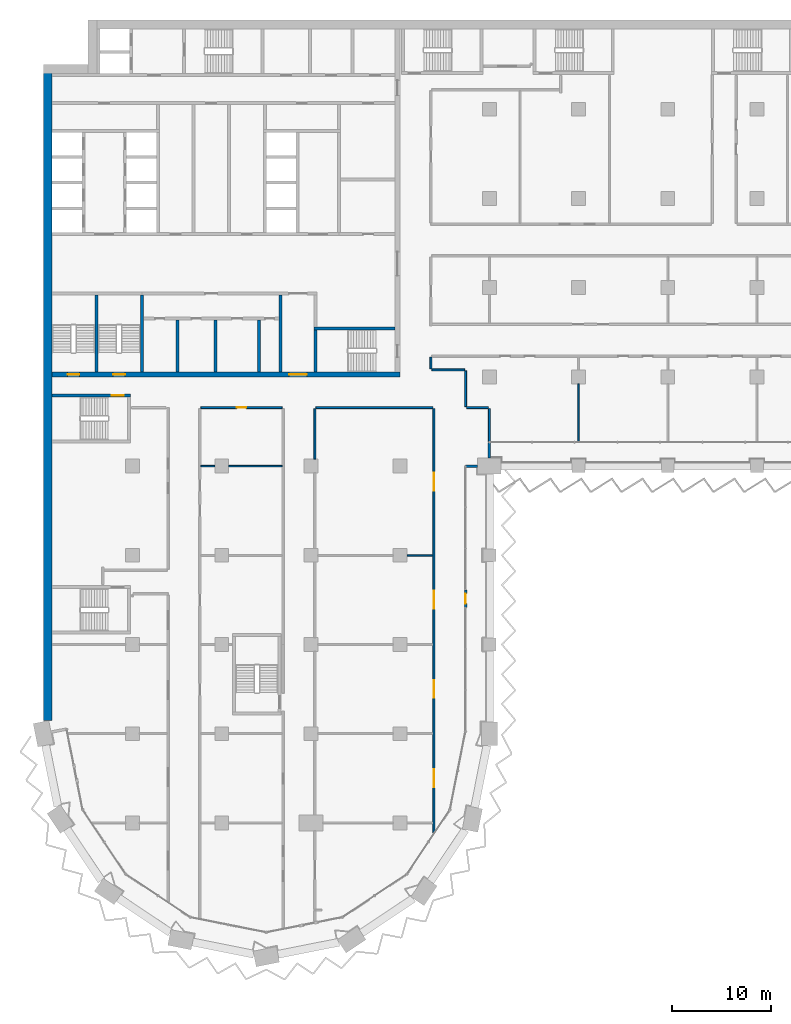
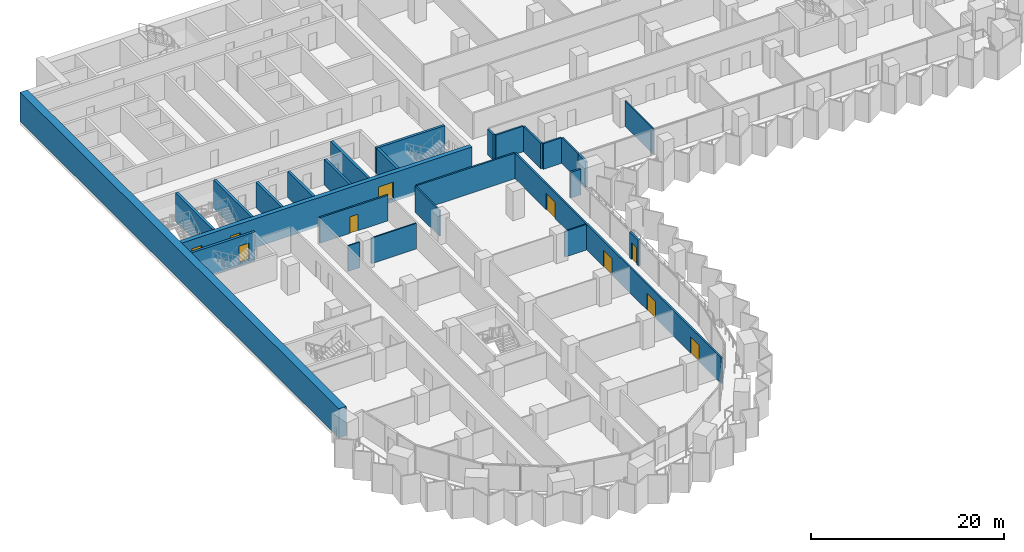
# One storey, part 12 of 28: 27 walls, 10 doors, 10 openings.
"""IFC4 building model written with IfcOpenShell, lengths in metres."""

from ifc_helpers import new_model, si_unit, direction, frame, frame_2d, origin, place, context, subcontext, project, spatial, rectangle, extrude, material, layer, layer_set, type_object, element, fill, save


model = new_model("IFC4")

# Units and contexts
model_context = context("Model", 3, precision=1e-05, world=origin(), true_north=direction((0.0, 1.0)))
body_context = subcontext(model_context, "Body", "Model", "MODEL_VIEW")
ifc_project = project(units=[si_unit("LENGTHUNIT", "METRE"), si_unit("AREAUNIT", "SQUARE_METRE"), si_unit("VOLUMEUNIT", "CUBIC_METRE"), si_unit("PLANEANGLEUNIT", "RADIAN"), si_unit("MASSUNIT", "GRAM", prefix="KILO")], contexts=[model_context])

# Site, building, storey
site_placement = place(None, origin())
site = spatial("IfcSite", under=ifc_project, at=site_placement, CompositionType="ELEMENT")
building_placement = place(site_placement, origin())
building = spatial("IfcBuilding", under=site, at=building_placement, Name="Hunhe Ridgeline Campus", CompositionType="ELEMENT")
storey_placement = place(building_placement, frame((0.0, 0.0, 76.5)))
storey = spatial("IfcBuildingStorey", under=building, at=storey_placement, Name="L18", CompositionType="ELEMENT", Elevation=76.5)

# Walls
ifc_material_1 = material(Name="Masonry concrete blockwork", Category="masonry")
ifc_layer_1 = layer(ifc_material_1, 0.300048828125)
ifc_layer_set_1 = layer_set([ifc_layer_1], Name="Core room partition 300 concrete block")
wall_type_1 = type_object("IfcWallType", Name="Core room partition 300 concrete block", PredefinedType="PARTITIONING", material=ifc_layer_set_1)
for number, where, z_axis, x_axis, name in (
    (1, (13.550048828125, 63.5, 0.0), (0.0, 0.0, 1.0), (0.0, 1.0, 0.0), "L18 core partition 45"),
    (2, (17.35009765625, 63.5, 0.0), (0.0, 0.0, 1.0), (0.0, 1.0, 0.0), "L18 core partition 48"),
    (3, (21.75, 63.5, 0.0), (0.0, 0.0, 1.0), (0.0, 1.0, 0.0), "L18 core partition 51"),
):
    element("IfcWall", number, at=place(storey_placement, frame(where, z_axis=z_axis, x_axis=x_axis)), inside=storey, type_object=wall_type_1, Name=name, PredefinedType="PARTITIONING", context=body_context, shape_type="SweptSolid", body=[
        extrude(rectangle(XDim=5.25, YDim=0.300048828125, at=frame_2d((2.625, 0.0))), origin(), (0.0, 0.0, 1.0), 3.25),
    ])
wall_1_placement = place(storey_placement, frame((23.949951171875, 63.5, 0.0), z_axis=(0.0, 0.0, 1.0), x_axis=(0.0, 1.0, 0.0)))
element("IfcWall", 4, at=wall_1_placement, inside=storey, type_object=wall_type_1, Name="L18 core partition 56", PredefinedType="PARTITIONING", context=body_context, shape_type="SweptSolid", body=[
    extrude(rectangle(XDim=7.75, YDim=0.300048828125, at=frame_2d((3.875, 0.0))), origin(), (0.0, 0.0, 1.0), 3.25),
])

# Wall, openings, doors
ifc_material_2 = material(Name="Concrete C80", Category="concrete")
ifc_layer_2 = layer(ifc_material_2, 0.5)
ifc_layer_set_2 = layer_set([ifc_layer_2], Name="Core wall 500 reinforced concrete C80")
wall_type_2 = type_object("IfcWallType", Name="Core wall 500 reinforced concrete C80", PredefinedType="SOLIDWALL", material=ifc_layer_set_2)
wall_2_placement = place(storey_placement, frame((0.89990234375, 63.25, -0.39990234375), z_axis=(0.0, 0.0, 1.0), x_axis=(1.0, 0.0, 0.0)))
wall_2 = element("IfcWall", 5, at=wall_2_placement, inside=storey, type_object=wall_type_2, Name="L18 core wall 7", PredefinedType="SOLIDWALL", context=body_context, shape_type="SweptSolid", body=[
    extrude(rectangle(XDim=35.10009765625, YDim=0.5, at=frame_2d((17.550048828125, 0.0))), origin(), (0.0, 0.0, 1.0), 3.64990234375),
])
opening_1_placement = place(wall_2_placement, frame((23.89990234375, 0.0, 0.39990234375)))
opening_1 = element("IfcOpeningElement", 6, at=opening_1_placement, cuts=wall_2, Name="Opening CD6", PredefinedType="OPENING", context=body_context, shape_type="SweptSolid", body=[
    extrude(rectangle(XDim=1.800048828125, YDim=2.10009765625, at=frame_2d((0.89990234375, 1.050048828125))), frame((0.0, 0.25, 0.0), z_axis=(0.0, -1.0, 0.0), x_axis=(1.0, 0.0, 0.0)), (0.0, 0.0, 1.0), 0.5),
])
opening_2_placement = place(wall_2_placement, frame((1.550048828125, 0.0, 0.39990234375)))
opening_2 = element("IfcOpeningElement", 7, at=opening_2_placement, cuts=wall_2, Name="Opening CD13", PredefinedType="OPENING", context=body_context, shape_type="SweptSolid", body=[
    extrude(rectangle(XDim=1.199951171875, YDim=2.10009765625, at=frame_2d((0.60009765625, 1.050048828125))), frame((0.0, 0.25, 0.0), z_axis=(0.0, -1.0, 0.0), x_axis=(1.0, 0.0, 0.0)), (0.0, 0.0, 1.0), 0.5),
])
opening_3_placement = place(wall_2_placement, frame((6.14990234375, 0.0, 0.39990234375)))
opening_3 = element("IfcOpeningElement", 8, at=opening_3_placement, cuts=wall_2, Name="Opening CD14", PredefinedType="OPENING", context=body_context, shape_type="SweptSolid", body=[
    extrude(rectangle(XDim=1.199951171875, YDim=2.10009765625, at=frame_2d((0.60009765625, 1.050048828125))), frame((0.0, 0.25, 0.0), z_axis=(0.0, -1.0, 0.0), x_axis=(1.0, 0.0, 0.0)), (0.0, 0.0, 1.0), 0.5),
])
ifc_material_3 = material(Name="Anodised aluminium and glass", Category="aluminium")
door_type_1 = type_object("IfcDoorType", Name="Glazed double door 1800x2100", OperationType="DOUBLE_DOOR_SINGLE_SWING", PredefinedType="DOOR", material=ifc_material_3)
door_1_placement = place(opening_1_placement, frame((1.800048828125, 0.0, 0.0), z_axis=(0.0, 0.0, 1.0), x_axis=(-1.0, 0.0, 0.0)))
door_1 = element("IfcDoor", 9, at=door_1_placement, inside=storey, type_object=door_type_1, Name="L18 door VEST-FLOOR", OperationType="DOUBLE_DOOR_SINGLE_SWING", OverallHeight=2.10009765625, OverallWidth=1.800048828125, PredefinedType="DOOR", context=body_context, shape_type="SweptSolid", body=[
    extrude(rectangle(XDim=1.800048828125, YDim=2.10009765625, at=frame_2d((0.89990234375, 1.050048828125))), frame((0.0, 0.02490234375, 0.0), z_axis=(0.0, -1.0, 0.0), x_axis=(1.0, 0.0, 0.0)), (0.0, 0.0, 1.0), 0.050048828125),
])
fill(opening_1, door_1)
ifc_material_4 = material(Name="Hollow metal fire door leaf")
door_type_2 = type_object("IfcDoorType", Name="Stair door 1200x2100 FD60", OperationType="SINGLE_SWING_LEFT", PredefinedType="DOOR", material=ifc_material_4)
door_2_placement = place(opening_2_placement, frame((1.199951171875, 0.0, 0.0), z_axis=(0.0, 0.0, 1.0), x_axis=(-1.0, 0.0, 0.0)))
door_2 = element("IfcDoor", 10, at=door_2_placement, inside=storey, type_object=door_type_2, Name="L18 door S3", OperationType="SINGLE_SWING_RIGHT", OverallHeight=2.10009765625, OverallWidth=1.199951171875, PredefinedType="DOOR", context=body_context, shape_type="SweptSolid", body=[
    extrude(rectangle(XDim=1.199951171875, YDim=2.10009765625, at=frame_2d((0.60009765625, 1.050048828125))), frame((0.0, 0.02490234375, 0.0), z_axis=(0.0, -1.0, 0.0), x_axis=(1.0, 0.0, 0.0)), (0.0, 0.0, 1.0), 0.050048828125),
])
fill(opening_2, door_2)
door_3_placement = place(opening_3_placement, frame((1.199951171875, 0.0, 0.0), z_axis=(0.0, 0.0, 1.0), x_axis=(-1.0, 0.0, 0.0)))
door_3 = element("IfcDoor", 11, at=door_3_placement, inside=storey, type_object=door_type_2, Name="L18 door S4", OperationType="SINGLE_SWING_LEFT", OverallHeight=2.10009765625, OverallWidth=1.199951171875, PredefinedType="DOOR", context=body_context, shape_type="SweptSolid", body=[
    extrude(rectangle(XDim=1.199951171875, YDim=2.10009765625, at=frame_2d((0.60009765625, 1.050048828125))), frame((0.0, 0.02490234375, 0.0), z_axis=(0.0, -1.0, 0.0), x_axis=(1.0, 0.0, 0.0)), (0.0, 0.0, 1.0), 0.050048828125),
])
fill(opening_3, door_3)

# Walls
ifc_material_5 = material(Name="Concrete C30", Category="concrete")
ifc_layer_3 = layer(ifc_material_5, 0.25)
ifc_layer_set_3 = layer_set([ifc_layer_3], Name="Corner return wall 250 Concrete C30")
wall_type_3 = type_object("IfcWallType", Name="Corner return wall 250 Concrete C30", PredefinedType="SOLIDWALL", material=ifc_layer_set_3)
wall_3_placement = place(storey_placement, frame((42.59912109375, 54.0, 0.0), z_axis=(0.0, 0.0, 1.0), x_axis=(0.999999917344, 0.000406586671, 0.0)))
element("IfcWall", 12, at=wall_3_placement, inside=storey, type_object=wall_type_3, Name="Corner return wall 2", PredefinedType="SOLIDWALL", context=body_context, shape_type="SweptSolid", body=[
    extrude(rectangle(XDim=1.200927734375, YDim=0.25, at=frame_2d((0.6005859375, 0.0))), origin(), (0.0, 0.0, 1.0), 3.25),
])
wall_4_placement = place(storey_placement, frame((44.999267578125, 54.800048828125, 0.0), z_axis=(0.0, 0.0, 1.0), x_axis=(0.000152508767, 0.999999988371, 0.0)))
element("IfcWall", 13, at=wall_4_placement, inside=storey, type_object=wall_type_3, Name="Corner return wall 3", PredefinedType="SOLIDWALL", context=body_context, shape_type="SweptSolid", body=[
    extrude(rectangle(XDim=1.600830078125, YDim=0.25, at=frame_2d((0.80029296875, 0.0))), origin(), (0.0, 0.0, 1.0), 3.25),
])

# Wall, opening, door
ifc_material_6 = material(Name="Gypsum board partition")
ifc_layer_4 = layer(ifc_material_6, 0.199951171875)
ifc_layer_set_4 = layer_set([ifc_layer_4], Name="Corridor partition 200 gypsum board on steel studs")
wall_type_4 = type_object("IfcWallType", Name="Corridor partition 200 gypsum board on steel studs", PredefinedType="PARTITIONING", material=ifc_layer_set_4)
wall_5_placement = place(storey_placement, frame((24.10009765625, 59.89990234375, 0.0), z_axis=(0.0, 0.0, 1.0), x_axis=(-1.0, 0.0, 0.0)))
wall_5 = element("IfcWall", 14, at=wall_5_placement, inside=storey, type_object=wall_type_4, Name="F-L18-wall-029", PredefinedType="PARTITIONING", context=body_context, shape_type="SweptSolid", body=[
    extrude(rectangle(XDim=8.2001953125, YDim=0.199951171875, at=frame_2d((4.10009765625, 0.0))), origin(), (0.0, 0.0, 1.0), 3.25),
])
opening_4_placement = place(wall_5_placement, frame((3.60009765625, 0.0, 0.0)))
opening_4 = element("IfcOpeningElement", 15, at=opening_4_placement, cuts=wall_5, Name="Opening RD1-019", PredefinedType="OPENING", context=body_context, shape_type="SweptSolid", body=[
    extrude(rectangle(XDim=1.0, YDim=2.10009765625, at=frame_2d((0.5, 1.050048828125))), frame((0.0, 0.10009765625, 0.0), z_axis=(0.0, -1.0, 0.0), x_axis=(1.0, 0.0, 0.0)), (0.0, 0.0, 1.0), 0.199951171875),
])
ifc_material_7 = material(Name="Timber door leaf", Category="wood")
door_type_3 = type_object("IfcDoorType", Name="Single fire door 1000x2100 timber FD60", OperationType="NOTDEFINED", PredefinedType="DOOR", material=ifc_material_7)
door_4_placement = place(opening_4_placement, origin())
door_4 = element("IfcDoor", 16, at=door_4_placement, inside=storey, type_object=door_type_3, Name="F-L18-door-019", OperationType="SINGLE_SWING_LEFT", OverallHeight=2.10009765625, OverallWidth=1.0, PredefinedType="DOOR", context=body_context, shape_type="SweptSolid", body=[
    extrude(rectangle(XDim=1.0, YDim=2.10009765625, at=frame_2d((0.5, 1.050048828125))), frame((0.0, 0.02490234375, 0.0), z_axis=(0.0, -1.0, 0.0), x_axis=(1.0, 0.0, 0.0)), (0.0, 0.0, 1.0), 0.050048828125),
])
fill(opening_4, door_4)

# Walls
wall_6_placement = place(storey_placement, frame((39.300048828125, 59.89990234375, 0.0), z_axis=(0.0, 0.0, 1.0), x_axis=(-1.0, 0.0, 0.0)))
element("IfcWall", 17, at=wall_6_placement, inside=storey, type_object=wall_type_4, Name="F-L18-wall-030", PredefinedType="PARTITIONING", context=body_context, shape_type="SweptSolid", body=[
    extrude(rectangle(XDim=11.800048828125, YDim=0.199951171875, at=frame_2d((5.89990234375, 0.0))), origin(), (0.0, 0.0, 1.0), 3.25),
])
wall_7_placement = place(storey_placement, frame((42.699951171875, 59.89990234375, 0.0), z_axis=(0.0, 0.0, 1.0), x_axis=(1.0, 0.0, 0.0)))
element("IfcWall", 18, at=wall_7_placement, inside=storey, type_object=wall_type_4, Name="F-L18-wall-031", PredefinedType="PARTITIONING", context=body_context, shape_type="SweptSolid", body=[
    extrude(rectangle(XDim=2.199951171875, YDim=0.199951171875, at=frame_2d((1.10009765625, 0.0))), origin(), (0.0, 0.0, 1.0), 3.25),
])
wall_8_placement = place(storey_placement, frame((39.199951171875, 63.699951171875, 0.0), z_axis=(0.0, 0.0, 1.0), x_axis=(1.0, 0.0, 0.0)))
element("IfcWall", 19, at=wall_8_placement, inside=storey, type_object=wall_type_4, Name="F-L18-wall-032", PredefinedType="PARTITIONING", context=body_context, shape_type="SweptSolid", body=[
    extrude(rectangle(XDim=3.300048828125, YDim=0.199951171875, at=frame_2d((1.64990234375, 0.0))), origin(), (0.0, 0.0, 1.0), 3.25),
])
wall_9_placement = place(storey_placement, frame((27.39990234375, 59.800048828125, 0.0), z_axis=(0.0, 0.0, 1.0), x_axis=(0.0, -1.0, 0.0)))
element("IfcWall", 20, at=wall_9_placement, inside=storey, type_object=wall_type_4, Name="F-L18-wall-059", PredefinedType="PARTITIONING", context=body_context, shape_type="SweptSolid", body=[
    extrude(rectangle(XDim=5.10009765625, YDim=0.199951171875, at=frame_2d((2.550048828125, 0.0))), origin(), (0.0, 0.0, 1.0), 3.25),
])
wall_10_placement = place(storey_placement, frame((39.10009765625, 65.0, 0.0), z_axis=(0.0, 0.0, 1.0), x_axis=(0.0, -1.0, 0.0)))
element("IfcWall", 21, at=wall_10_placement, inside=storey, type_object=wall_type_4, Name="F-L18-wall-060", PredefinedType="PARTITIONING", context=body_context, shape_type="SweptSolid", body=[
    extrude(rectangle(XDim=1.199951171875, YDim=0.199951171875, at=frame_2d((0.60009765625, 0.0))), origin(), (0.0, 0.0, 1.0), 3.25),
])

# Wall, openings, doors
wall_11_placement = place(storey_placement, frame((39.39990234375, 16.99072265625, 0.0), z_axis=(0.0, 0.0, 1.0), x_axis=(0.0, 1.0, 0.0)))
wall_11 = element("IfcWall", 22, at=wall_11_placement, inside=storey, type_object=wall_type_4, Name="F-L18-wall-063", PredefinedType="PARTITIONING", context=body_context, shape_type="SweptSolid", body=[
    extrude(rectangle(XDim=42.809326171875, YDim=0.199951171875, at=frame_2d((21.40478515625, 0.0))), origin(), (0.0, 0.0, 1.0), 3.25),
])
opening_5_placement = place(wall_11_placement, frame((4.607666015625, 0.0, 0.0)))
opening_5 = element("IfcOpeningElement", 23, at=opening_5_placement, cuts=wall_11, Name="Opening RD2-006", PredefinedType="OPENING", context=body_context, shape_type="SweptSolid", body=[
    extrude(rectangle(XDim=1.800048828125, YDim=2.10009765625, at=frame_2d((0.89990234375, 1.050048828125))), frame((0.0, 0.10009765625, 0.0), z_axis=(0.0, -1.0, 0.0), x_axis=(1.0, 0.0, 0.0)), (0.0, 0.0, 1.0), 0.199951171875),
])
opening_6_placement = place(wall_11_placement, frame((13.6201171875, 0.0, 0.0)))
opening_6 = element("IfcOpeningElement", 24, at=opening_6_placement, cuts=wall_11, Name="Opening RD2-010", PredefinedType="OPENING", context=body_context, shape_type="SweptSolid", body=[
    extrude(rectangle(XDim=1.800048828125, YDim=2.10009765625, at=frame_2d((0.89990234375, 1.050048828125))), frame((0.0, 0.10009765625, 0.0), z_axis=(0.0, -1.0, 0.0), x_axis=(1.0, 0.0, 0.0)), (0.0, 0.0, 1.0), 0.199951171875),
])
opening_7_placement = place(wall_11_placement, frame((22.632568359375, 0.0, 0.0)))
opening_7 = element("IfcOpeningElement", 25, at=opening_7_placement, cuts=wall_11, Name="Opening RD2-013", PredefinedType="OPENING", context=body_context, shape_type="SweptSolid", body=[
    extrude(rectangle(XDim=1.800048828125, YDim=2.10009765625, at=frame_2d((0.89990234375, 1.050048828125))), frame((0.0, 0.10009765625, 0.0), z_axis=(0.0, -1.0, 0.0), x_axis=(1.0, 0.0, 0.0)), (0.0, 0.0, 1.0), 0.199951171875),
])
opening_8_placement = place(wall_11_placement, frame((34.52392578125, 0.0, 0.0)))
opening_8 = element("IfcOpeningElement", 26, at=opening_8_placement, cuts=wall_11, Name="Opening RD2-017", PredefinedType="OPENING", context=body_context, shape_type="SweptSolid", body=[
    extrude(rectangle(XDim=1.800048828125, YDim=2.10009765625, at=frame_2d((0.89990234375, 1.050048828125))), frame((0.0, 0.10009765625, 0.0), z_axis=(0.0, -1.0, 0.0), x_axis=(1.0, 0.0, 0.0)), (0.0, 0.0, 1.0), 0.199951171875),
])
door_type_4 = type_object("IfcDoorType", Name="Double fire door 1800x2100 timber FD60", OperationType="DOUBLE_DOOR_SINGLE_SWING", PredefinedType="DOOR", material=ifc_material_7)
door_5_placement = place(opening_5_placement, origin())
door_5 = element("IfcDoor", 27, at=door_5_placement, inside=storey, type_object=door_type_4, Name="F-L18-door-006", OperationType="DOUBLE_DOOR_SINGLE_SWING", OverallHeight=2.10009765625, OverallWidth=1.800048828125, PredefinedType="DOOR", context=body_context, shape_type="SweptSolid", body=[
    extrude(rectangle(XDim=1.800048828125, YDim=2.10009765625, at=frame_2d((0.89990234375, 1.050048828125))), frame((0.0, 0.02490234375, 0.0), z_axis=(0.0, -1.0, 0.0), x_axis=(1.0, 0.0, 0.0)), (0.0, 0.0, 1.0), 0.050048828125),
])
fill(opening_5, door_5)
door_6_placement = place(opening_6_placement, origin())
door_6 = element("IfcDoor", 28, at=door_6_placement, inside=storey, type_object=door_type_4, Name="F-L18-door-010", OperationType="DOUBLE_DOOR_SINGLE_SWING", OverallHeight=2.10009765625, OverallWidth=1.800048828125, PredefinedType="DOOR", context=body_context, shape_type="SweptSolid", body=[
    extrude(rectangle(XDim=1.800048828125, YDim=2.10009765625, at=frame_2d((0.89990234375, 1.050048828125))), frame((0.0, 0.02490234375, 0.0), z_axis=(0.0, -1.0, 0.0), x_axis=(1.0, 0.0, 0.0)), (0.0, 0.0, 1.0), 0.050048828125),
])
fill(opening_6, door_6)
door_7_placement = place(opening_7_placement, origin())
door_7 = element("IfcDoor", 29, at=door_7_placement, inside=storey, type_object=door_type_4, Name="F-L18-door-013", OperationType="DOUBLE_DOOR_SINGLE_SWING", OverallHeight=2.10009765625, OverallWidth=1.800048828125, PredefinedType="DOOR", context=body_context, shape_type="SweptSolid", body=[
    extrude(rectangle(XDim=1.800048828125, YDim=2.10009765625, at=frame_2d((0.89990234375, 1.050048828125))), frame((0.0, 0.02490234375, 0.0), z_axis=(0.0, -1.0, 0.0), x_axis=(1.0, 0.0, 0.0)), (0.0, 0.0, 1.0), 0.050048828125),
])
fill(opening_7, door_7)
door_8_placement = place(opening_8_placement, origin())
door_8 = element("IfcDoor", 30, at=door_8_placement, inside=storey, type_object=door_type_4, Name="F-L18-door-017", OperationType="DOUBLE_DOOR_SINGLE_SWING", OverallHeight=2.10009765625, OverallWidth=1.800048828125, PredefinedType="DOOR", context=body_context, shape_type="SweptSolid", body=[
    extrude(rectangle(XDim=1.800048828125, YDim=2.10009765625, at=frame_2d((0.89990234375, 1.050048828125))), frame((0.0, 0.02490234375, 0.0), z_axis=(0.0, -1.0, 0.0), x_axis=(1.0, 0.0, 0.0)), (0.0, 0.0, 1.0), 0.050048828125),
])
fill(opening_8, door_8)

# Walls
wall_12_placement = place(storey_placement, frame((42.60009765625, 63.60009765625, 0.0), z_axis=(0.0, 0.0, 1.0), x_axis=(0.0, -1.0, 0.0)))
element("IfcWall", 31, at=wall_12_placement, inside=storey, type_object=wall_type_4, Name="F-L18-wall-064", PredefinedType="PARTITIONING", context=body_context, shape_type="SweptSolid", body=[
    extrude(rectangle(XDim=3.60009765625, YDim=0.199951171875, at=frame_2d((1.800048828125, 0.0))), origin(), (0.0, 0.0, 1.0), 3.25),
])
wall_13_placement = place(storey_placement, frame((45.0, 59.800048828125, 0.0), z_axis=(0.0, 0.0, 1.0), x_axis=(0.0, -1.0, 0.0)))
element("IfcWall", 32, at=wall_13_placement, inside=storey, type_object=wall_type_4, Name="F-L18-wall-065", PredefinedType="PARTITIONING", context=body_context, shape_type="SweptSolid", body=[
    extrude(rectangle(XDim=3.34521484375, YDim=0.199951171875, at=frame_2d((1.672607421875, 0.0))), origin(), (0.0, 0.0, 1.0), 3.25),
])

# Wall, opening, door
ifc_layer_5 = layer(ifc_material_5, 0.25)
ifc_layer_set_5 = layer_set([ifc_layer_5], Name="Loggia door pier wall 250 Concrete C30")
wall_type_5 = type_object("IfcWallType", Name="Loggia door pier wall 250 Concrete C30", PredefinedType="SOLIDWALL", material=ifc_layer_set_5)
wall_14_placement = place(storey_placement, frame((42.59912109375, 39.71826171875, 0.0), z_axis=(0.0, 0.0, 1.0), x_axis=(0.0, 1.0, 0.0)))
wall_14 = element("IfcWall", 33, at=wall_14_placement, inside=storey, type_object=wall_type_5, Name="Loggia door pier 3", PredefinedType="SOLIDWALL", context=body_context, shape_type="SweptSolid", body=[
    extrude(rectangle(XDim=1.800048828125, YDim=0.25, at=frame_2d((0.89990234375, 0.0))), origin(), (0.0, 0.0, 1.0), 3.25),
])
opening_9_placement = place(wall_14_placement, frame((0.39990234375, 0.0, 0.0)))
opening_9 = element("IfcOpeningElement", 34, at=opening_9_placement, cuts=wall_14, Name="Opening BD105", PredefinedType="OPENING", context=body_context, shape_type="SweptSolid", body=[
    extrude(rectangle(XDim=1.0, YDim=2.10009765625, at=frame_2d((0.5, 1.050048828125))), frame((0.0, 0.125, 0.0), z_axis=(0.0, -1.0, 0.0), x_axis=(1.0, 0.0, 0.0)), (0.0, 0.0, 1.0), 0.25),
])
ifc_material_8 = material(Name="Aluminium 6063", Category="aluminium")
door_type_5 = type_object("IfcDoorType", Name="Loggia glazed door 1000x2100", OperationType="NOTDEFINED", PredefinedType="DOOR", material=ifc_material_8)
door_9_placement = place(opening_9_placement, frame((1.0, 0.0, 0.0), z_axis=(0.0, 0.0, 1.0), x_axis=(-1.0, 0.0, 0.0)))
door_9 = element("IfcDoor", 35, at=door_9_placement, inside=storey, type_object=door_type_5, Name="Loggia door BD105", OperationType="SINGLE_SWING_RIGHT", OverallHeight=2.10009765625, OverallWidth=1.0, PredefinedType="DOOR", context=body_context, shape_type="SweptSolid", body=[
    extrude(rectangle(XDim=1.0, YDim=2.10009765625, at=frame_2d((0.5, 1.050048828125))), frame((0.0, 0.02490234375, 0.0), z_axis=(0.0, -1.0, 0.0), x_axis=(1.0, 0.0, 0.0)), (0.0, 0.0, 1.0), 0.050048828125),
])
fill(opening_9, door_9)

# Walls
ifc_layer_6 = layer(ifc_material_6, 0.14990234375)
ifc_layer_set_6 = layer_set([ifc_layer_6], Name="Room partition 150 gypsum board on steel studs")
wall_type_6 = type_object("IfcWallType", Name="Room partition 150 gypsum board on steel studs", PredefinedType="PARTITIONING", material=ifc_layer_set_6)
wall_15_placement = place(storey_placement, frame((36.699951171875, 45.0, 0.0), z_axis=(0.0, 0.0, 1.0), x_axis=(1.0, 0.0, 0.0)))
element("IfcWall", 36, at=wall_15_placement, inside=storey, type_object=wall_type_6, Name="F-L18-wall-025", PredefinedType="PARTITIONING", context=body_context, shape_type="SweptSolid", body=[
    extrude(rectangle(XDim=2.60009765625, YDim=0.14990234375, at=frame_2d((1.300048828125, 0.0))), origin(), (0.0, 0.0, 1.0), 3.25),
])
wall_16_placement = place(storey_placement, frame((15.89990234375, 54.0, 0.0), z_axis=(0.0, 0.0, 1.0), x_axis=(1.0, 0.0, 0.0)))
element("IfcWall", 37, at=wall_16_placement, inside=storey, type_object=wall_type_6, Name="F-L18-wall-026", PredefinedType="PARTITIONING", context=body_context, shape_type="SweptSolid", body=[
    extrude(rectangle(XDim=1.400146484375, YDim=0.14990234375, at=frame_2d((0.7001953125, 0.0))), origin(), (0.0, 0.0, 1.0), 3.25),
])
wall_17_placement = place(storey_placement, frame((18.699951171875, 54.0, 0.0), z_axis=(0.0, 0.0, 1.0), x_axis=(1.0, 0.0, 0.0)))
element("IfcWall", 38, at=wall_17_placement, inside=storey, type_object=wall_type_6, Name="F-L18-wall-027", PredefinedType="PARTITIONING", context=body_context, shape_type="SweptSolid", body=[
    extrude(rectangle(XDim=5.400146484375, YDim=0.14990234375, at=frame_2d((2.7001953125, 0.0))), origin(), (0.0, 0.0, 1.0), 3.25),
])
wall_18_placement = place(storey_placement, frame((54.0, 62.300048828125, 0.0), z_axis=(0.0, 0.0, 1.0), x_axis=(0.0, -1.0, 0.0)))
element("IfcWall", 39, at=wall_18_placement, inside=storey, type_object=wall_type_6, Name="F-L18-wall-071", PredefinedType="PARTITIONING", context=body_context, shape_type="SweptSolid", body=[
    extrude(rectangle(XDim=5.84521484375, YDim=0.14990234375, at=frame_2d((2.922607421875, 0.0))), origin(), (0.0, 0.0, 1.0), 3.25),
])
ifc_layer_7 = layer(ifc_material_2, 0.89990234375)
ifc_layer_set_7 = layer_set([ifc_layer_7], Name="Spine wall 900 Concrete C80")
wall_type_7 = type_object("IfcWallType", Name="Spine wall 900 Concrete C80", PredefinedType="SHEAR", material=ifc_layer_set_7)
wall_19_placement = place(storey_placement, frame((0.449951171875, 94.5, 0.0), z_axis=(0.0, 0.0, 1.0), x_axis=(0.0, -1.0, 0.0)))
element("IfcWall", 40, at=wall_19_placement, inside=storey, type_object=wall_type_7, Name="Spine wall SW1-1 L18", PredefinedType="SHEAR", context=body_context, shape_type="SweptSolid", body=[
    extrude(rectangle(XDim=66.18701171875, YDim=0.89990234375, at=frame_2d((33.093505859375, 0.0))), origin(), (0.0, 0.0, 1.0), 3.699951171875),
])

# Wall, opening, door
ifc_layer_8 = layer(ifc_material_2, 0.300048828125)
ifc_layer_set_8 = layer_set([ifc_layer_8], Name="Stair wall 300 reinforced concrete C80")
wall_type_8 = type_object("IfcWallType", Name="Stair wall 300 reinforced concrete C80", PredefinedType="SOLIDWALL", material=ifc_layer_set_8)
wall_20_placement = place(storey_placement, frame((0.89990234375, 61.10009765625, -0.39990234375), z_axis=(0.0, 0.0, 1.0), x_axis=(1.0, 0.0, 0.0)))
wall_20 = element("IfcWall", 41, at=wall_20_placement, inside=storey, type_object=wall_type_8, Name="L18 core wall 6", PredefinedType="SOLIDWALL", context=body_context, shape_type="SweptSolid", body=[
    extrude(rectangle(XDim=7.900146484375, YDim=0.300048828125, at=frame_2d((3.9501953125, 0.0))), origin(), (0.0, 0.0, 1.0), 3.64990234375),
])
opening_10_placement = place(wall_20_placement, frame((6.0, 0.0, 0.39990234375)))
opening_10 = element("IfcOpeningElement", 42, at=opening_10_placement, cuts=wall_20, Name="Opening CD22", PredefinedType="OPENING", context=body_context, shape_type="SweptSolid", body=[
    extrude(rectangle(XDim=1.199951171875, YDim=2.10009765625, at=frame_2d((0.60009765625, 1.050048828125))), frame((0.0, 0.14990234375, 0.0), z_axis=(0.0, -1.0, 0.0), x_axis=(1.0, 0.0, 0.0)), (0.0, 0.0, 1.0), 0.300048828125),
])
door_10_placement = place(opening_10_placement, origin())
door_10 = element("IfcDoor", 43, at=door_10_placement, inside=storey, type_object=door_type_2, Name="L18 door W2", OperationType="SINGLE_SWING_RIGHT", OverallHeight=2.10009765625, OverallWidth=1.199951171875, PredefinedType="DOOR", context=body_context, shape_type="SweptSolid", body=[
    extrude(rectangle(XDim=1.199951171875, YDim=2.10009765625, at=frame_2d((0.60009765625, 1.050048828125))), frame((0.0, 0.02490234375, 0.0), z_axis=(0.0, -1.0, 0.0), x_axis=(1.0, 0.0, 0.0)), (0.0, 0.0, 1.0), 0.050048828125),
])
fill(opening_10, door_10)

# Walls
wall_21_placement = place(storey_placement, frame((27.300048828125, 67.89990234375, -0.39990234375), z_axis=(0.0, 0.0, 1.0), x_axis=(1.0, 0.0, 0.0)))
element("IfcWall", 44, at=wall_21_placement, inside=storey, type_object=wall_type_8, Name="L18 core wall 9", PredefinedType="SOLIDWALL", context=body_context, shape_type="SweptSolid", body=[
    extrude(rectangle(XDim=8.199951171875, YDim=0.300048828125, at=frame_2d((4.10009765625, 0.0))), origin(), (0.0, 0.0, 1.0), 3.64990234375),
])
for number, where, z_axis, x_axis, name in (
    (45, (5.35009765625, 63.5, -0.39990234375), (0.0, 0.0, 1.0), (0.0, 1.0, 0.0), "L18 core wall 36"),
    (46, (9.949951171875, 63.5, -0.39990234375), (0.0, 0.0, 1.0), (0.0, 1.0, 0.0), "L18 core wall 42"),
):
    element("IfcWall", number, at=place(storey_placement, frame(where, z_axis=z_axis, x_axis=x_axis)), inside=storey, type_object=wall_type_8, Name=name, PredefinedType="SOLIDWALL", context=body_context, shape_type="SweptSolid", body=[
        extrude(rectangle(XDim=7.75, YDim=0.300048828125, at=frame_2d((3.875, 0.0))), origin(), (0.0, 0.0, 1.0), 3.64990234375),
    ])
wall_22_placement = place(storey_placement, frame((27.449951171875, 63.5, -0.39990234375), z_axis=(0.0, 0.0, 1.0), x_axis=(0.0, 1.0, 0.0)))
element("IfcWall", 47, at=wall_22_placement, inside=storey, type_object=wall_type_8, Name="L18 core wall 59", PredefinedType="SOLIDWALL", context=body_context, shape_type="SweptSolid", body=[
    extrude(rectangle(XDim=4.25, YDim=0.300048828125, at=frame_2d((2.125, 0.0))), origin(), (0.0, 0.0, 1.0), 3.64990234375),
])

save(model, "model.ifc")
